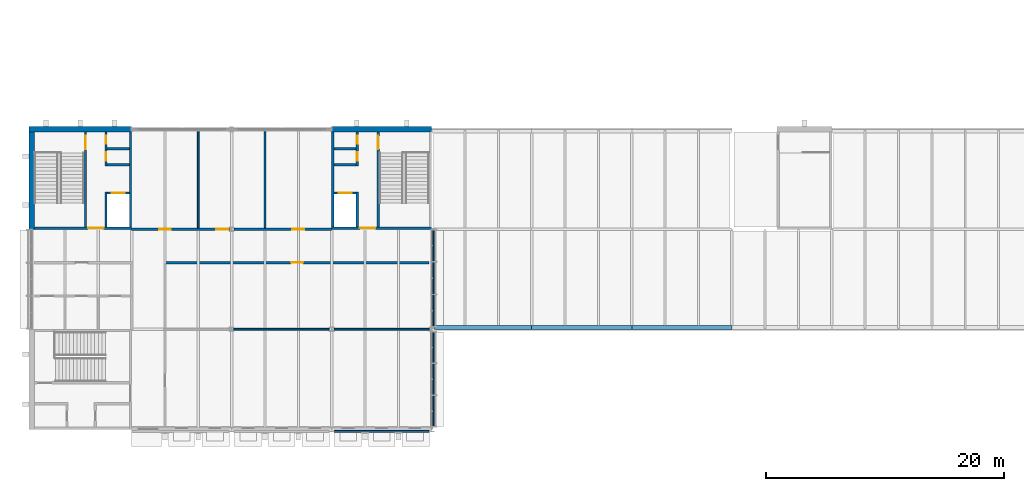
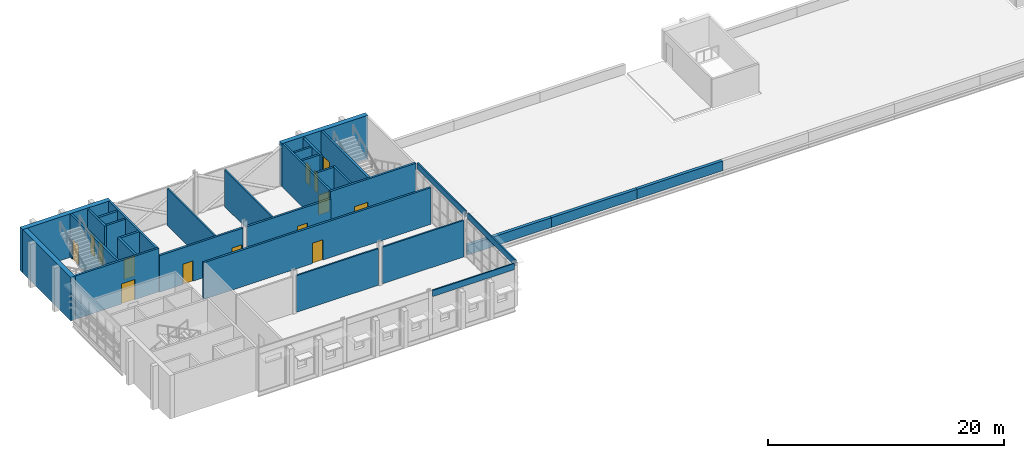
# One storey, part 21 of 29: 32 walls, 14 doors, 14 openings.
"""IFC4 building model written with IfcOpenShell, lengths in metres."""

from ifc_helpers import new_model, si_unit, direction, frame, frame_2d, origin, place, context, subcontext, project, spatial, rectangle, extrude, material, layer, layer_set, type_object, element, fill, save


model = new_model("IFC4")

# Units and contexts
model_context = context("Model", 3, precision=1e-05, world=origin(), true_north=direction((0.0, 1.0)))
body_context = subcontext(model_context, "Body", "Model", "MODEL_VIEW")
ifc_project = project(units=[si_unit("LENGTHUNIT", "METRE"), si_unit("AREAUNIT", "SQUARE_METRE"), si_unit("VOLUMEUNIT", "CUBIC_METRE"), si_unit("PLANEANGLEUNIT", "RADIAN"), si_unit("MASSUNIT", "GRAM", prefix="KILO")], contexts=[model_context])

# Site, building, storey
site_placement = place(None, origin())
site = spatial("IfcSite", under=ifc_project, at=site_placement, CompositionType="ELEMENT")
building_placement = place(site_placement, origin())
building = spatial("IfcBuilding", under=site, at=building_placement, Name="Ardhachandra Cancer Care Centre", CompositionType="ELEMENT")
storey_placement = place(building_placement, frame((0.0, 0.0, 13.5)))
storey = spatial("IfcBuildingStorey", under=building, at=storey_placement, Name="L03", CompositionType="ELEMENT", Elevation=13.5)

# Walls
ifc_material_1 = material(Name="Brick masonry (clay brick, cement mortar) with Precast Concrete M25 coping", Category="masonry")
ifc_layer_1 = layer(ifc_material_1, 0.300048828125)
ifc_layer_set_1 = layer_set([ifc_layer_1], Name="Brick masonry (clay brick, cement mortar) with Precast Concrete M25 coping")
wall_type_1 = type_object("IfcWallType", Name="Brick parapet 300", PredefinedType="PARAPET", material=ifc_layer_set_1)
wall_1_placement = place(storey_placement, frame((44.615478515625, 79.949951171875, 0.0), z_axis=(0.0, 0.0, 1.0), x_axis=(1.0, 0.0, 0.0)))
element("IfcWall", 1, at=wall_1_placement, inside=storey, type_object=wall_type_1, Name="Parapet V1-strip L03 7", PredefinedType="PARAPET", context=body_context, shape_type="SweptSolid", body=[
    extrude(rectangle(XDim=8.1845703125, YDim=0.300048828125, at=frame_2d((4.09228515625, 0.0))), origin(), (0.0, 0.0, 1.0), 1.0),
])
wall_2_placement = place(storey_placement, frame((52.800048828125, 79.949951171875, 0.0), z_axis=(0.0, 0.0, 1.0), x_axis=(1.0, 0.0, 0.0)))
element("IfcWall", 2, at=wall_2_placement, inside=storey, type_object=wall_type_1, Name="Parapet V1-strip L03 8", PredefinedType="PARAPET", context=body_context, shape_type="SweptSolid", body=[
    extrude(rectangle(XDim=8.39990234375, YDim=0.300048828125, at=frame_2d((4.199951171875, 0.0))), origin(), (0.0, 0.0, 1.0), 1.0),
])
wall_3_placement = place(storey_placement, frame((61.199951171875, 79.949951171875, 0.0), z_axis=(0.0, 0.0, 1.0), x_axis=(1.0, 0.0, 0.0)))
element("IfcWall", 3, at=wall_3_placement, inside=storey, type_object=wall_type_1, Name="Parapet V1-strip L03 9", PredefinedType="PARAPET", context=body_context, shape_type="SweptSolid", body=[
    extrude(rectangle(XDim=8.400146484375, YDim=0.300048828125, at=frame_2d((4.2001953125, 0.0))), origin(), (0.0, 0.0, 1.0), 1.0),
])

# Wall, opening, door
ifc_material_2 = material(Name="Gypsum board corridor partition on steel studs", Category="steel")
ifc_layer_2 = layer(ifc_material_2, 0.199951171875)
ifc_layer_set_2 = layer_set([ifc_layer_2], Name="Gypsum board corridor partition on steel studs")
wall_type_2 = type_object("IfcWallType", Name="CORRIDOR WALL 200", PredefinedType="PARTITIONING", material=ifc_layer_set_2)
wall_4_placement = place(storey_placement, frame((21.89990234375, 85.39990234375, 0.0), z_axis=(0.0, 0.0, 1.0), x_axis=(1.0, 0.0, 0.0)))
wall_4 = element("IfcWall", 4, at=wall_4_placement, inside=storey, type_object=wall_type_2, Name="R/wall/L03/h0085400_0021900", PredefinedType="PARTITIONING", context=body_context, shape_type="SweptSolid", body=[
    extrude(rectangle(XDim=22.275146484375, YDim=0.199951171875, at=frame_2d((11.1376953125, 0.0))), origin(), (0.0, 0.0, 1.0), 3.800048828125),
])
opening_1_placement = place(wall_4_placement, frame((10.699951171875, 0.0, 0.0)))
opening_1 = element("IfcOpeningElement", 5, at=opening_1_placement, cuts=wall_4, Name="Opening L03-0006", PredefinedType="OPENING", context=body_context, shape_type="SweptSolid", body=[
    extrude(rectangle(XDim=1.0, YDim=2.10009765625, at=frame_2d((0.5, 1.050048828125))), frame((0.0, 0.10986328125, 0.0), z_axis=(0.0, -1.0, 0.0), x_axis=(1.0, 0.0, 0.0)), (0.0, 0.0, 1.0), 0.219970703125),
])
ifc_material_3 = material(Name="Timber fire door with smoke seals", Category="wood")
door_type_1 = type_object("IfcDoorType", Name="FIRE DOOR SINGLE 1000x2100 FD30S", OperationType="NOTDEFINED", PredefinedType="DOOR", material=ifc_material_3)
door_1_placement = place(opening_1_placement, origin())
door_1 = element("IfcDoor", 6, at=door_1_placement, inside=storey, type_object=door_type_1, Name="Door L03-0006", OperationType="SINGLE_SWING_RIGHT", OverallHeight=2.10009765625, OverallWidth=1.0, PredefinedType="DOOR", context=body_context, shape_type="SweptSolid", body=[
    extrude(rectangle(XDim=1.0, YDim=2.10009765625, at=frame_2d((0.5, 1.050048828125))), frame((0.0, 0.02490234375, 0.0), z_axis=(0.0, -1.0, 0.0), x_axis=(1.0, 0.0, 0.0)), (0.0, 0.0, 1.0), 0.050048828125),
])
fill(opening_1, door_1)

# Wall, openings, doors
wall_5_placement = place(storey_placement, frame((19.199951171875, 88.199951171875, 0.0), z_axis=(0.0, 0.0, 1.0), x_axis=(1.0, 0.0, 0.0)))
wall_5 = element("IfcWall", 7, at=wall_5_placement, inside=storey, type_object=wall_type_2, Name="R/wall/L03/h0088200_0019200", PredefinedType="PARTITIONING", context=body_context, shape_type="SweptSolid", body=[
    extrude(rectangle(XDim=8.20458984375, YDim=0.199951171875, at=frame_2d((4.102294921875, 0.0))), origin(), (0.0, 0.0, 1.0), 3.800048828125),
])
opening_2_placement = place(wall_5_placement, frame((2.300048828125, 0.0, 0.0)))
opening_2 = element("IfcOpeningElement", 8, at=opening_2_placement, cuts=wall_5, Name="Opening L03-0007", PredefinedType="OPENING", context=body_context, shape_type="SweptSolid", body=[
    extrude(rectangle(XDim=1.0, YDim=2.10009765625, at=frame_2d((0.5, 1.050048828125))), frame((0.0, 0.10986328125, 0.0), z_axis=(0.0, -1.0, 0.0), x_axis=(1.0, 0.0, 0.0)), (0.0, 0.0, 1.0), 0.219970703125),
])
opening_3_placement = place(wall_5_placement, frame((7.10009765625, 0.0, 0.0)))
opening_3 = element("IfcOpeningElement", 9, at=opening_3_placement, cuts=wall_5, Name="Opening L03-0008", PredefinedType="OPENING", context=body_context, shape_type="SweptSolid", body=[
    extrude(rectangle(XDim=1.0, YDim=2.10009765625, at=frame_2d((0.5, 1.050048828125))), frame((0.0, 0.10986328125, 0.0), z_axis=(0.0, -1.0, 0.0), x_axis=(1.0, 0.0, 0.0)), (0.0, 0.0, 1.0), 0.219970703125),
])
door_2_placement = place(opening_2_placement, origin())
door_2 = element("IfcDoor", 10, at=door_2_placement, inside=storey, type_object=door_type_1, Name="Door L03-0007", OperationType="SINGLE_SWING_RIGHT", OverallHeight=2.10009765625, OverallWidth=1.0, PredefinedType="DOOR", context=body_context, shape_type="SweptSolid", body=[
    extrude(rectangle(XDim=1.0, YDim=2.10009765625, at=frame_2d((0.5, 1.050048828125))), frame((0.0, 0.02490234375, 0.0), z_axis=(0.0, -1.0, 0.0), x_axis=(1.0, 0.0, 0.0)), (0.0, 0.0, 1.0), 0.050048828125),
])
fill(opening_2, door_2)
door_3_placement = place(opening_3_placement, origin())
door_3 = element("IfcDoor", 11, at=door_3_placement, inside=storey, type_object=door_type_1, Name="Door L03-0008", OperationType="SINGLE_SWING_RIGHT", OverallHeight=2.10009765625, OverallWidth=1.0, PredefinedType="DOOR", context=body_context, shape_type="SweptSolid", body=[
    extrude(rectangle(XDim=1.0, YDim=2.10009765625, at=frame_2d((0.5, 1.050048828125))), frame((0.0, 0.02490234375, 0.0), z_axis=(0.0, -1.0, 0.0), x_axis=(1.0, 0.0, 0.0)), (0.0, 0.0, 1.0), 0.050048828125),
])
fill(opening_3, door_3)

# Wall, opening, door
wall_6_placement = place(storey_placement, frame((27.79541015625, 88.199951171875, 0.0), z_axis=(0.0, 0.0, 1.0), x_axis=(1.0, 0.0, 0.0)))
wall_6 = element("IfcWall", 12, at=wall_6_placement, inside=storey, type_object=wall_type_2, Name="R/wall/L03/h0088200_0027796", PredefinedType="PARTITIONING", context=body_context, shape_type="SweptSolid", body=[
    extrude(rectangle(XDim=8.20458984375, YDim=0.199951171875, at=frame_2d((4.102294921875, 0.0))), origin(), (0.0, 0.0, 1.0), 3.800048828125),
])
opening_4_placement = place(wall_6_placement, frame((4.904541015625, 0.0, 0.0)))
opening_4 = element("IfcOpeningElement", 13, at=opening_4_placement, cuts=wall_6, Name="Opening L03-0009", PredefinedType="OPENING", context=body_context, shape_type="SweptSolid", body=[
    extrude(rectangle(XDim=1.0, YDim=2.10009765625, at=frame_2d((0.5, 1.050048828125))), frame((0.0, 0.10986328125, 0.0), z_axis=(0.0, -1.0, 0.0), x_axis=(1.0, 0.0, 0.0)), (0.0, 0.0, 1.0), 0.219970703125),
])
door_4_placement = place(opening_4_placement, origin())
door_4 = element("IfcDoor", 14, at=door_4_placement, inside=storey, type_object=door_type_1, Name="Door L03-0009", OperationType="SINGLE_SWING_LEFT", OverallHeight=2.10009765625, OverallWidth=1.0, PredefinedType="DOOR", context=body_context, shape_type="SweptSolid", body=[
    extrude(rectangle(XDim=1.0, YDim=2.10009765625, at=frame_2d((0.5, 1.050048828125))), frame((0.0, 0.02490234375, 0.0), z_axis=(0.0, -1.0, 0.0), x_axis=(1.0, 0.0, 0.0)), (0.0, 0.0, 1.0), 0.050048828125),
])
fill(opening_4, door_4)

# Walls
ifc_material_4 = material(Name="Concrete M40", Category="concrete")
ifc_layer_3 = layer(ifc_material_4, 0.449951171875)
ifc_layer_set_3 = layer_set([ifc_layer_3], Name="Concrete M40")
wall_type_3 = type_object("IfcWallType", Name="Core exterior wall RC 450", PredefinedType="SOLIDWALL", material=ifc_layer_set_3)
wall_7_placement = place(storey_placement, frame((10.574951171875, 96.60009765625, 0.0), z_axis=(0.0, 0.0, 1.0), x_axis=(1.0, 0.0, 0.0)))
element("IfcWall", 15, at=wall_7_placement, inside=storey, type_object=wall_type_3, Name="Core wall K4 FAR", PredefinedType="SOLIDWALL", context=body_context, shape_type="SweptSolid", body=[
    extrude(rectangle(XDim=8.625, YDim=0.449951171875, at=frame_2d((4.3125, 0.0))), origin(), (0.0, 0.0, 1.0), 4.5),
])
wall_8_placement = place(storey_placement, frame((10.800048828125, 88.199951171875, 0.0), z_axis=(0.0, 0.0, 1.0), x_axis=(0.0, 1.0, 0.0)))
element("IfcWall", 16, at=wall_8_placement, inside=storey, type_object=wall_type_3, Name="Core wall K4 UW", PredefinedType="SOLIDWALL", context=body_context, shape_type="SweptSolid", body=[
    extrude(rectangle(XDim=8.175048828125, YDim=0.449951171875, at=frame_2d((4.08740234375, 0.0))), origin(), (0.0, 0.0, 1.0), 4.5),
])
wall_9_placement = place(storey_placement, frame((44.39990234375, 96.60009765625, 0.0), z_axis=(0.0, 0.0, 1.0), x_axis=(-1.0, 0.0, 0.0)))
element("IfcWall", 17, at=wall_9_placement, inside=storey, type_object=wall_type_3, Name="Core wall K5 FAR", PredefinedType="SOLIDWALL", context=body_context, shape_type="SweptSolid", body=[
    extrude(rectangle(XDim=8.39990234375, YDim=0.449951171875, at=frame_2d((4.199951171875, 0.0))), origin(), (0.0, 0.0, 1.0), 4.5),
])

# Wall, opening, door
ifc_material_5 = material(Name="Concrete M40", Category="concrete")
ifc_layer_4 = layer(ifc_material_5, 0.199951171875)
ifc_layer_set_4 = layer_set([ifc_layer_4], Name="Concrete M40")
wall_type_4 = type_object("IfcWallType", Name="Core wall RC 200", PredefinedType="SOLIDWALL", material=ifc_layer_set_4)
wall_10_placement = place(storey_placement, frame((11.02490234375, 88.300048828125, 0.0), z_axis=(0.0, 0.0, 1.0), x_axis=(1.0, 0.0, 0.0)))
wall_10 = element("IfcWall", 18, at=wall_10_placement, inside=storey, type_object=wall_type_4, Name="Core wall K4 ENT", PredefinedType="SOLIDWALL", context=body_context, shape_type="SweptSolid", body=[
    extrude(rectangle(XDim=8.175048828125, YDim=0.199951171875, at=frame_2d((4.08740234375, 0.0))), origin(), (0.0, 0.0, 1.0), 4.5),
])
opening_5_placement = place(wall_10_placement, frame((4.512451171875, 0.0, 0.0)))
opening_5 = element("IfcOpeningElement", 19, at=opening_5_placement, cuts=wall_10, Name="Opening L03-K04-1", PredefinedType="OPENING", context=body_context, shape_type="SweptSolid", body=[
    extrude(rectangle(XDim=1.300048828125, YDim=2.10009765625, at=frame_2d((0.64990234375, 1.050048828125))), frame((0.0, 0.10986328125, 0.0), z_axis=(0.0, -1.0, 0.0), x_axis=(1.0, 0.0, 0.0)), (0.0, 0.0, 1.0), 0.219970703125),
])
ifc_material_6 = material(Name="Steel door set", Category="steel")
door_type_2 = type_object("IfcDoorType", Name="Core entry double door 1300x2100 FD60", OperationType="DOUBLE_DOOR_DOUBLE_SWING", PredefinedType="DOOR", material=ifc_material_6)
door_5_placement = place(opening_5_placement, origin())
door_5 = element("IfcDoor", 20, at=door_5_placement, inside=storey, type_object=door_type_2, Name="Core entry door", OperationType="DOUBLE_DOOR_DOUBLE_SWING", OverallHeight=2.10009765625, OverallWidth=1.300048828125, PredefinedType="DOOR", context=body_context, shape_type="SweptSolid", body=[
    extrude(rectangle(XDim=1.300048828125, YDim=2.10009765625, at=frame_2d((0.64990234375, 1.050048828125))), frame((0.0, 0.02490234375, 0.0), z_axis=(0.0, -1.0, 0.0), x_axis=(1.0, 0.0, 0.0)), (0.0, 0.0, 1.0), 0.050048828125),
])
fill(opening_5, door_5)

# Wall
wall_11_placement = place(storey_placement, frame((19.10009765625, 88.39990234375, 0.0), z_axis=(0.0, 0.0, 1.0), x_axis=(0.0, 1.0, 0.0)))
element("IfcWall", 21, at=wall_11_placement, inside=storey, type_object=wall_type_4, Name="Core wall K4 UE", PredefinedType="SOLIDWALL", context=body_context, shape_type="SweptSolid", body=[
    extrude(rectangle(XDim=7.97509765625, YDim=0.199951171875, at=frame_2d((3.987548828125, 0.0))), origin(), (0.0, 0.0, 1.0), 4.5),
])

# Wall, opening, door
wall_12_placement = place(storey_placement, frame((15.324951171875, 88.39990234375, 0.0), z_axis=(0.0, 0.0, 1.0), x_axis=(0.0, 1.0, 0.0)))
wall_12 = element("IfcWall", 22, at=wall_12_placement, inside=storey, type_object=wall_type_4, Name="Core wall K4 P1", PredefinedType="SOLIDWALL", context=body_context, shape_type="SweptSolid", body=[
    extrude(rectangle(XDim=7.97509765625, YDim=0.199951171875, at=frame_2d((3.987548828125, 0.0))), origin(), (0.0, 0.0, 1.0), 4.5),
])
opening_6_placement = place(wall_12_placement, frame((6.53759765625, 0.0, 0.0)))
opening_6 = element("IfcOpeningElement", 23, at=opening_6_placement, cuts=wall_12, Name="Opening L03-K04-2", PredefinedType="OPENING", context=body_context, shape_type="SweptSolid", body=[
    extrude(rectangle(XDim=1.10009765625, YDim=2.10009765625, at=frame_2d((0.550048828125, 1.050048828125))), frame((0.0, 0.10986328125, 0.0), z_axis=(0.0, -1.0, 0.0), x_axis=(1.0, 0.0, 0.0)), (0.0, 0.0, 1.0), 0.219970703125),
])
ifc_material_7 = material(Name="Steel door set", Category="steel")
door_type_3 = type_object("IfcDoorType", Name="Stair door 1100x2100 FD60S", OperationType="NOTDEFINED", PredefinedType="DOOR", material=ifc_material_7)
door_6_placement = place(opening_6_placement, origin())
door_6 = element("IfcDoor", 24, at=door_6_placement, inside=storey, type_object=door_type_3, Name="Stair door", OperationType="SINGLE_SWING_RIGHT", OverallHeight=2.10009765625, OverallWidth=1.10009765625, PredefinedType="DOOR", context=body_context, shape_type="SweptSolid", body=[
    extrude(rectangle(XDim=1.10009765625, YDim=2.10009765625, at=frame_2d((0.550048828125, 1.050048828125))), frame((0.0, 0.02490234375, 0.0), z_axis=(0.0, -1.0, 0.0), x_axis=(1.0, 0.0, 0.0)), (0.0, 0.0, 1.0), 0.050048828125),
])
fill(opening_6, door_6)

# Wall
wall_13_placement = place(storey_placement, frame((17.050048828125, 88.39990234375, 0.0), z_axis=(0.0, 0.0, 1.0), x_axis=(0.0, 1.0, 0.0)))
element("IfcWall", 25, at=wall_13_placement, inside=storey, type_object=wall_type_4, Name="Core wall K4 P2A", PredefinedType="SOLIDWALL", context=body_context, shape_type="SweptSolid", body=[
    extrude(rectangle(XDim=2.9501953125, YDim=0.199951171875, at=frame_2d((1.47509765625, 0.0))), origin(), (0.0, 0.0, 1.0), 4.5),
])

# Wall, openings, doors
wall_14_placement = place(storey_placement, frame((17.050048828125, 93.52490234375, 0.0), z_axis=(0.0, 0.0, 1.0), x_axis=(0.0, 1.0, 0.0)))
wall_14 = element("IfcWall", 26, at=wall_14_placement, inside=storey, type_object=wall_type_4, Name="Core wall K4 P2B", PredefinedType="SOLIDWALL", context=body_context, shape_type="SweptSolid", body=[
    extrude(rectangle(XDim=2.85009765625, YDim=0.199951171875, at=frame_2d((1.425048828125, 0.0))), origin(), (0.0, 0.0, 1.0), 4.35009765625),
])
opening_7_placement = place(wall_14_placement, frame((0.425048828125, 0.0, 0.0)))
opening_7 = element("IfcOpeningElement", 27, at=opening_7_placement, cuts=wall_14, Name="Opening L03-K04-4", PredefinedType="OPENING", context=body_context, shape_type="SweptSolid", body=[
    extrude(rectangle(XDim=0.699951171875, YDim=2.10009765625, at=frame_2d((0.35009765625, 1.050048828125))), frame((0.0, 0.10986328125, 0.0), z_axis=(0.0, -1.0, 0.0), x_axis=(1.0, 0.0, 0.0)), (0.0, 0.0, 1.0), 0.219970703125),
])
opening_8_placement = place(wall_14_placement, frame((1.85009765625, 0.0, 0.0)))
opening_8 = element("IfcOpeningElement", 28, at=opening_8_placement, cuts=wall_14, Name="Opening L03-K04-5", PredefinedType="OPENING", context=body_context, shape_type="SweptSolid", body=[
    extrude(rectangle(XDim=0.699951171875, YDim=2.10009765625, at=frame_2d((0.35009765625, 1.050048828125))), frame((0.0, 0.10986328125, 0.0), z_axis=(0.0, -1.0, 0.0), x_axis=(1.0, 0.0, 0.0)), (0.0, 0.0, 1.0), 0.219970703125),
])
ifc_material_8 = material(Name="Steel door set", Category="steel")
door_type_4 = type_object("IfcDoorType", Name="Riser access door 700x2100 FD120S", OperationType="NOTDEFINED", PredefinedType="DOOR", material=ifc_material_8)
door_7_placement = place(opening_7_placement, origin())
door_7 = element("IfcDoor", 29, at=door_7_placement, inside=storey, type_object=door_type_4, Name="Riser access door", OperationType="SINGLE_SWING_LEFT", OverallHeight=2.10009765625, OverallWidth=0.699951171875, PredefinedType="DOOR", context=body_context, shape_type="SweptSolid", body=[
    extrude(rectangle(XDim=0.699951171875, YDim=2.10009765625, at=frame_2d((0.35009765625, 1.050048828125))), frame((0.0, 0.02490234375, 0.0), z_axis=(0.0, -1.0, 0.0), x_axis=(1.0, 0.0, 0.0)), (0.0, 0.0, 1.0), 0.050048828125),
])
fill(opening_7, door_7)
door_8_placement = place(opening_8_placement, origin())
door_8 = element("IfcDoor", 30, at=door_8_placement, inside=storey, type_object=door_type_4, Name="Riser access door", OperationType="SINGLE_SWING_RIGHT", OverallHeight=2.10009765625, OverallWidth=0.699951171875, PredefinedType="DOOR", context=body_context, shape_type="SweptSolid", body=[
    extrude(rectangle(XDim=0.699951171875, YDim=2.10009765625, at=frame_2d((0.35009765625, 1.050048828125))), frame((0.0, 0.02490234375, 0.0), z_axis=(0.0, -1.0, 0.0), x_axis=(1.0, 0.0, 0.0)), (0.0, 0.0, 1.0), 0.050048828125),
])
fill(opening_8, door_8)

# Wall, opening, door
wall_15_placement = place(storey_placement, frame((17.14990234375, 91.25, 0.0), z_axis=(0.0, 0.0, 1.0), x_axis=(1.0, 0.0, 0.0)))
wall_15 = element("IfcWall", 31, at=wall_15_placement, inside=storey, type_object=wall_type_4, Name="Core wall K4 W1", PredefinedType="SOLIDWALL", context=body_context, shape_type="SweptSolid", body=[
    extrude(rectangle(XDim=1.85009765625, YDim=0.199951171875, at=frame_2d((0.925048828125, 0.0))), origin(), (0.0, 0.0, 1.0), 4.5),
])
opening_9_placement = place(wall_15_placement, frame((0.375, 0.0, 0.0)))
opening_9 = element("IfcOpeningElement", 32, at=opening_9_placement, cuts=wall_15, Name="Opening L03-K04-3", PredefinedType="OPENING", context=body_context, shape_type="SweptSolid", body=[
    extrude(rectangle(XDim=1.10009765625, YDim=2.10009765625, at=frame_2d((0.550048828125, 1.050048828125))), frame((0.0, 0.10986328125, 0.0), z_axis=(0.0, -1.0, 0.0), x_axis=(1.0, 0.0, 0.0)), (0.0, 0.0, 1.0), 0.219970703125),
])
ifc_material_9 = material(Name="Stainless steel (grade 304)", Category="steel")
door_type_5 = type_object("IfcDoorType", Name="Lift landing door 1100x2100", OperationType="DOUBLE_DOOR_SLIDING", PredefinedType="DOOR", material=ifc_material_9)
door_9_placement = place(opening_9_placement, origin())
door_9 = element("IfcDoor", 33, at=door_9_placement, inside=storey, type_object=door_type_5, Name="Lift landing door LF-K4-1", OperationType="DOUBLE_DOOR_SLIDING", OverallHeight=2.10009765625, OverallWidth=1.10009765625, PredefinedType="DOOR", context=body_context, shape_type="SweptSolid", body=[
    extrude(rectangle(XDim=1.10009765625, YDim=2.10009765625, at=frame_2d((0.550048828125, 1.050048828125))), frame((0.0, 0.02490234375, 0.0), z_axis=(0.0, -1.0, 0.0), x_axis=(1.0, 0.0, 0.0)), (0.0, 0.0, 1.0), 0.050048828125),
])
fill(opening_9, door_9)

# Walls
for number, where, z_axis, x_axis, name in (
    (34, (17.14990234375, 93.625, 0.0), (0.0, 0.0, 1.0), (1.0, 0.0, 0.0), "Core wall K4 W2"),
    (35, (17.14990234375, 94.97509765625, 0.0), (0.0, 0.0, 1.0), (1.0, 0.0, 0.0), "Core wall K4 DIV"),
):
    element("IfcWall", number, at=place(storey_placement, frame(where, z_axis=z_axis, x_axis=x_axis)), inside=storey, type_object=wall_type_4, Name=name, PredefinedType="SOLIDWALL", context=body_context, shape_type="SweptSolid", body=[
        extrude(rectangle(XDim=1.85009765625, YDim=0.199951171875, at=frame_2d((0.925048828125, 0.0))), origin(), (0.0, 0.0, 1.0), 4.35009765625),
    ])

# Wall, opening, door
wall_16_placement = place(storey_placement, frame((44.39990234375, 88.300048828125, 0.0), z_axis=(0.0, 0.0, 1.0), x_axis=(-1.0, 0.0, 0.0)))
wall_16 = element("IfcWall", 36, at=wall_16_placement, inside=storey, type_object=wall_type_4, Name="Core wall K5 ENT", PredefinedType="SOLIDWALL", context=body_context, shape_type="SweptSolid", body=[
    extrude(rectangle(XDim=8.39990234375, YDim=0.199951171875, at=frame_2d((4.199951171875, 0.0))), origin(), (0.0, 0.0, 1.0), 4.5),
])
opening_10_placement = place(wall_16_placement, frame((4.72509765625, 0.0, 0.0)))
opening_10 = element("IfcOpeningElement", 37, at=opening_10_placement, cuts=wall_16, Name="Opening L03-K05-1", PredefinedType="OPENING", context=body_context, shape_type="SweptSolid", body=[
    extrude(rectangle(XDim=1.300048828125, YDim=2.10009765625, at=frame_2d((0.64990234375, 1.050048828125))), frame((0.0, 0.10986328125, 0.0), z_axis=(0.0, -1.0, 0.0), x_axis=(1.0, 0.0, 0.0)), (0.0, 0.0, 1.0), 0.219970703125),
])
door_10_placement = place(opening_10_placement, origin())
door_10 = element("IfcDoor", 38, at=door_10_placement, inside=storey, type_object=door_type_2, Name="Core entry door", OperationType="DOUBLE_DOOR_DOUBLE_SWING", OverallHeight=2.10009765625, OverallWidth=1.300048828125, PredefinedType="DOOR", context=body_context, shape_type="SweptSolid", body=[
    extrude(rectangle(XDim=1.300048828125, YDim=2.10009765625, at=frame_2d((0.64990234375, 1.050048828125))), frame((0.0, 0.02490234375, 0.0), z_axis=(0.0, -1.0, 0.0), x_axis=(1.0, 0.0, 0.0)), (0.0, 0.0, 1.0), 0.050048828125),
])
fill(opening_10, door_10)

# Wall
wall_17_placement = place(storey_placement, frame((36.10009765625, 88.39990234375, 0.0), z_axis=(0.0, 0.0, 1.0), x_axis=(0.0, 1.0, 0.0)))
element("IfcWall", 39, at=wall_17_placement, inside=storey, type_object=wall_type_4, Name="Core wall K5 UE", PredefinedType="SOLIDWALL", context=body_context, shape_type="SweptSolid", body=[
    extrude(rectangle(XDim=7.97509765625, YDim=0.199951171875, at=frame_2d((3.987548828125, 0.0))), origin(), (0.0, 0.0, 1.0), 4.5),
])

# Wall, opening, door
wall_18_placement = place(storey_placement, frame((39.89990234375, 88.39990234375, 0.0), z_axis=(0.0, 0.0, 1.0), x_axis=(0.0, 1.0, 0.0)))
wall_18 = element("IfcWall", 40, at=wall_18_placement, inside=storey, type_object=wall_type_4, Name="Core wall K5 P1", PredefinedType="SOLIDWALL", context=body_context, shape_type="SweptSolid", body=[
    extrude(rectangle(XDim=7.97509765625, YDim=0.199951171875, at=frame_2d((3.987548828125, 0.0))), origin(), (0.0, 0.0, 1.0), 4.5),
])
opening_11_placement = place(wall_18_placement, frame((6.53759765625, 0.0, 0.0)))
opening_11 = element("IfcOpeningElement", 41, at=opening_11_placement, cuts=wall_18, Name="Opening L03-K05-2", PredefinedType="OPENING", context=body_context, shape_type="SweptSolid", body=[
    extrude(rectangle(XDim=1.10009765625, YDim=2.10009765625, at=frame_2d((0.550048828125, 1.050048828125))), frame((0.0, 0.10986328125, 0.0), z_axis=(0.0, -1.0, 0.0), x_axis=(1.0, 0.0, 0.0)), (0.0, 0.0, 1.0), 0.219970703125),
])
door_11_placement = place(opening_11_placement, origin())
door_11 = element("IfcDoor", 42, at=door_11_placement, inside=storey, type_object=door_type_3, Name="Stair door", OperationType="SINGLE_SWING_LEFT", OverallHeight=2.10009765625, OverallWidth=1.10009765625, PredefinedType="DOOR", context=body_context, shape_type="SweptSolid", body=[
    extrude(rectangle(XDim=1.10009765625, YDim=2.10009765625, at=frame_2d((0.550048828125, 1.050048828125))), frame((0.0, 0.02490234375, 0.0), z_axis=(0.0, -1.0, 0.0), x_axis=(1.0, 0.0, 0.0)), (0.0, 0.0, 1.0), 0.050048828125),
])
fill(opening_11, door_11)

# Wall
wall_19_placement = place(storey_placement, frame((38.14990234375, 88.39990234375, 0.0), z_axis=(0.0, 0.0, 1.0), x_axis=(0.0, 1.0, 0.0)))
element("IfcWall", 43, at=wall_19_placement, inside=storey, type_object=wall_type_4, Name="Core wall K5 P2A", PredefinedType="SOLIDWALL", context=body_context, shape_type="SweptSolid", body=[
    extrude(rectangle(XDim=2.9501953125, YDim=0.199951171875, at=frame_2d((1.47509765625, 0.0))), origin(), (0.0, 0.0, 1.0), 4.5),
])

# Wall, openings, doors
wall_20_placement = place(storey_placement, frame((38.14990234375, 93.52490234375, 0.0), z_axis=(0.0, 0.0, 1.0), x_axis=(0.0, 1.0, 0.0)))
wall_20 = element("IfcWall", 44, at=wall_20_placement, inside=storey, type_object=wall_type_4, Name="Core wall K5 P2B", PredefinedType="SOLIDWALL", context=body_context, shape_type="SweptSolid", body=[
    extrude(rectangle(XDim=2.85009765625, YDim=0.199951171875, at=frame_2d((1.425048828125, 0.0))), origin(), (0.0, 0.0, 1.0), 4.35009765625),
])
opening_12_placement = place(wall_20_placement, frame((0.425048828125, 0.0, 0.0)))
opening_12 = element("IfcOpeningElement", 45, at=opening_12_placement, cuts=wall_20, Name="Opening L03-K05-4", PredefinedType="OPENING", context=body_context, shape_type="SweptSolid", body=[
    extrude(rectangle(XDim=0.699951171875, YDim=2.10009765625, at=frame_2d((0.35009765625, 1.050048828125))), frame((0.0, 0.10986328125, 0.0), z_axis=(0.0, -1.0, 0.0), x_axis=(1.0, 0.0, 0.0)), (0.0, 0.0, 1.0), 0.219970703125),
])
opening_13_placement = place(wall_20_placement, frame((1.85009765625, 0.0, 0.0)))
opening_13 = element("IfcOpeningElement", 46, at=opening_13_placement, cuts=wall_20, Name="Opening L03-K05-5", PredefinedType="OPENING", context=body_context, shape_type="SweptSolid", body=[
    extrude(rectangle(XDim=0.699951171875, YDim=2.10009765625, at=frame_2d((0.35009765625, 1.050048828125))), frame((0.0, 0.10986328125, 0.0), z_axis=(0.0, -1.0, 0.0), x_axis=(1.0, 0.0, 0.0)), (0.0, 0.0, 1.0), 0.219970703125),
])
door_12_placement = place(opening_12_placement, origin())
door_12 = element("IfcDoor", 47, at=door_12_placement, inside=storey, type_object=door_type_4, Name="Riser access door", OperationType="SINGLE_SWING_RIGHT", OverallHeight=2.10009765625, OverallWidth=0.699951171875, PredefinedType="DOOR", context=body_context, shape_type="SweptSolid", body=[
    extrude(rectangle(XDim=0.699951171875, YDim=2.10009765625, at=frame_2d((0.35009765625, 1.050048828125))), frame((0.0, 0.02490234375, 0.0), z_axis=(0.0, -1.0, 0.0), x_axis=(1.0, 0.0, 0.0)), (0.0, 0.0, 1.0), 0.050048828125),
])
fill(opening_12, door_12)
door_13_placement = place(opening_13_placement, origin())
door_13 = element("IfcDoor", 48, at=door_13_placement, inside=storey, type_object=door_type_4, Name="Riser access door", OperationType="SINGLE_SWING_LEFT", OverallHeight=2.10009765625, OverallWidth=0.699951171875, PredefinedType="DOOR", context=body_context, shape_type="SweptSolid", body=[
    extrude(rectangle(XDim=0.699951171875, YDim=2.10009765625, at=frame_2d((0.35009765625, 1.050048828125))), frame((0.0, 0.02490234375, 0.0), z_axis=(0.0, -1.0, 0.0), x_axis=(1.0, 0.0, 0.0)), (0.0, 0.0, 1.0), 0.050048828125),
])
fill(opening_13, door_13)

# Wall, opening, door
wall_21_placement = place(storey_placement, frame((38.050048828125, 91.25, 0.0), z_axis=(0.0, 0.0, 1.0), x_axis=(-1.0, 0.0, 0.0)))
wall_21 = element("IfcWall", 49, at=wall_21_placement, inside=storey, type_object=wall_type_4, Name="Core wall K5 W1", PredefinedType="SOLIDWALL", context=body_context, shape_type="SweptSolid", body=[
    extrude(rectangle(XDim=1.85009765625, YDim=0.199951171875, at=frame_2d((0.925048828125, 0.0))), origin(), (0.0, 0.0, 1.0), 4.5),
])
opening_14_placement = place(wall_21_placement, frame((0.375, 0.0, 0.0)))
opening_14 = element("IfcOpeningElement", 50, at=opening_14_placement, cuts=wall_21, Name="Opening L03-K05-3", PredefinedType="OPENING", context=body_context, shape_type="SweptSolid", body=[
    extrude(rectangle(XDim=1.10009765625, YDim=2.10009765625, at=frame_2d((0.550048828125, 1.050048828125))), frame((0.0, 0.10986328125, 0.0), z_axis=(0.0, -1.0, 0.0), x_axis=(1.0, 0.0, 0.0)), (0.0, 0.0, 1.0), 0.219970703125),
])
door_14_placement = place(opening_14_placement, origin())
door_14 = element("IfcDoor", 51, at=door_14_placement, inside=storey, type_object=door_type_5, Name="Lift landing door LF-K5-1", OperationType="DOUBLE_DOOR_SLIDING", OverallHeight=2.10009765625, OverallWidth=1.10009765625, PredefinedType="DOOR", context=body_context, shape_type="SweptSolid", body=[
    extrude(rectangle(XDim=1.10009765625, YDim=2.10009765625, at=frame_2d((0.550048828125, 1.050048828125))), frame((0.0, 0.02490234375, 0.0), z_axis=(0.0, -1.0, 0.0), x_axis=(1.0, 0.0, 0.0)), (0.0, 0.0, 1.0), 0.050048828125),
])
fill(opening_14, door_14)

# Walls
for number, where, z_axis, x_axis, name in (
    (52, (38.050048828125, 93.625, 0.0), (0.0, 0.0, 1.0), (-1.0, 0.0, 0.0), "Core wall K5 W2"),
    (53, (38.050048828125, 94.97509765625, 0.0), (0.0, 0.0, 1.0), (-1.0, 0.0, 0.0), "Core wall K5 DIV"),
):
    element("IfcWall", number, at=place(storey_placement, frame(where, z_axis=z_axis, x_axis=x_axis)), inside=storey, type_object=wall_type_4, Name=name, PredefinedType="SOLIDWALL", context=body_context, shape_type="SweptSolid", body=[
        extrude(rectangle(XDim=1.85009765625, YDim=0.199951171875, at=frame_2d((0.925048828125, 0.0))), origin(), (0.0, 0.0, 1.0), 4.35009765625),
    ])
ifc_material_10 = material(Name="Precast Concrete M30 fascia panel with brick slip facing", Category="masonry")
ifc_layer_5 = layer(ifc_material_10, 0.1298828125)
ifc_layer_set_5 = layer_set([ifc_layer_5], Name="Precast Concrete M30 fascia panel with brick slip facing")
wall_type_5 = type_object("IfcWallType", Name="Edge beam fascia 130", PredefinedType="SOLIDWALL", material=ifc_layer_set_5)
wall_22_placement = place(storey_placement, frame((44.56005859375, 71.583984375, 3.8701171875), z_axis=(0.0, 0.0, 1.0), x_axis=(0.0, 1.0, 0.0)))
element("IfcWall", 54, at=wall_22_placement, inside=storey, type_object=wall_type_5, Name="E/fascia/L03/e/0044400_0071400", PredefinedType="SOLIDWALL", context=body_context, shape_type="SweptSolid", body=[
    extrude(rectangle(XDim=8.031982421875, YDim=0.1298828125, at=frame_2d((4.01611328125, 0.0))), origin(), (0.0, 0.0, 1.0), 0.6298828125),
])
wall_23_placement = place(storey_placement, frame((44.56005859375, 79.98388671875, 3.8701171875), z_axis=(0.0, 0.0, 1.0), x_axis=(0.0, 1.0, 0.0)))
element("IfcWall", 55, at=wall_23_placement, inside=storey, type_object=wall_type_5, Name="E/fascia/L03/e/0044400_0079800", PredefinedType="SOLIDWALL", context=body_context, shape_type="SweptSolid", body=[
    extrude(rectangle(XDim=8.216064453125, YDim=0.1298828125, at=frame_2d((4.10791015625, 0.0))), origin(), (0.0, 0.0, 1.0), 0.6298828125),
])
wall_24_placement = place(storey_placement, frame((36.195556640625, 71.239990234375, 3.8701171875), z_axis=(0.0, 0.0, 1.0), x_axis=(1.0, 0.0, 0.0)))
element("IfcWall", 56, at=wall_24_placement, inside=storey, type_object=wall_type_5, Name="E/fascia/L03/s/0036000_0071400", PredefinedType="SOLIDWALL", context=body_context, shape_type="SweptSolid", body=[
    extrude(rectangle(XDim=8.009033203125, YDim=0.1298828125, at=frame_2d((4.00439453125, 0.0))), origin(), (0.0, 0.0, 1.0), 0.6298828125),
])
ifc_material_11 = material(Name="Gypsum board partition on steel studs", Category="steel")
ifc_layer_6 = layer(ifc_material_11, 0.14990234375)
ifc_layer_set_6 = layer_set([ifc_layer_6], Name="Gypsum board partition on steel studs")
wall_type_6 = type_object("IfcWallType", Name="PARTITION 150", PredefinedType="PARTITIONING", material=ifc_layer_set_6)
for number, where, z_axis, x_axis, name in (
    (57, (24.800048828125, 88.300048828125, 0.0), (0.0, 0.0, 1.0), (0.0, 1.0, 0.0), "R/wall/L03/v0024800_0088300"),
    (58, (30.39990234375, 88.300048828125, 0.0), (0.0, 0.0, 1.0), (0.0, 1.0, 0.0), "R/wall/L03/v0030400_0088300"),
):
    element("IfcWall", number, at=place(storey_placement, frame(where, z_axis=z_axis, x_axis=x_axis)), inside=storey, type_object=wall_type_6, Name=name, PredefinedType="PARTITIONING", context=body_context, shape_type="SweptSolid", body=[
        extrude(rectangle(XDim=8.074951171875, YDim=0.14990234375, at=frame_2d((4.03759765625, 0.0))), origin(), (0.0, 0.0, 1.0), 3.800048828125),
    ])
ifc_material_12 = material(Name="Tiled gypsum board partition on steel studs", Category="steel")
ifc_layer_7 = layer(ifc_material_12, 0.14990234375)
ifc_layer_set_7 = layer_set([ifc_layer_7], Name="Tiled gypsum board partition on steel studs")
wall_type_7 = type_object("IfcWallType", Name="WET ROOM PARTITION 150", PredefinedType="PARTITIONING", material=ifc_layer_set_7)
wall_25_placement = place(storey_placement, frame((27.79541015625, 79.800048828125, 0.0), z_axis=(0.0, 0.0, 1.0), x_axis=(1.0, 0.0, 0.0)))
element("IfcWall", 59, at=wall_25_placement, inside=storey, type_object=wall_type_7, Name="R/wall/L03/h0079800_0027796", PredefinedType="PARTITIONING", context=body_context, shape_type="SweptSolid", body=[
    extrude(rectangle(XDim=8.009033203125, YDim=0.14990234375, at=frame_2d((4.00439453125, 0.0))), origin(), (0.0, 0.0, 1.0), 3.800048828125),
])
wall_26_placement = place(storey_placement, frame((36.195556640625, 79.800048828125, 0.0), z_axis=(0.0, 0.0, 1.0), x_axis=(1.0, 0.0, 0.0)))
element("IfcWall", 60, at=wall_26_placement, inside=storey, type_object=wall_type_7, Name="R/wall/L03/h0079800_0036196", PredefinedType="PARTITIONING", context=body_context, shape_type="SweptSolid", body=[
    extrude(rectangle(XDim=7.9794921875, YDim=0.14990234375, at=frame_2d((3.98974609375, 0.0))), origin(), (0.0, 0.0, 1.0), 3.800048828125),
])

save(model, "model.ifc")
